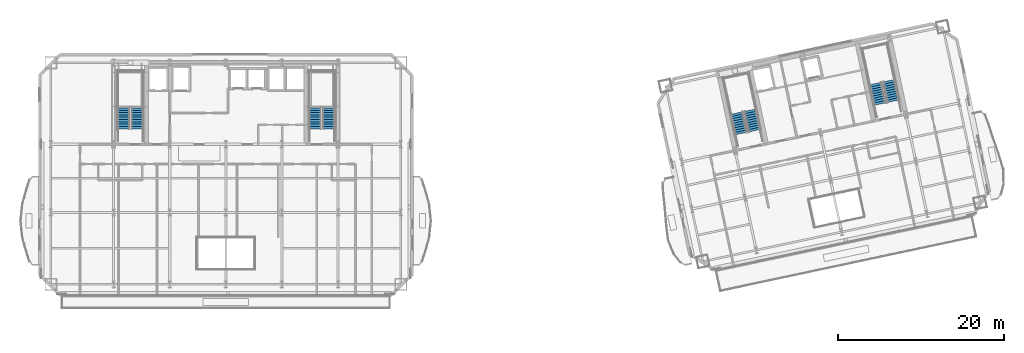
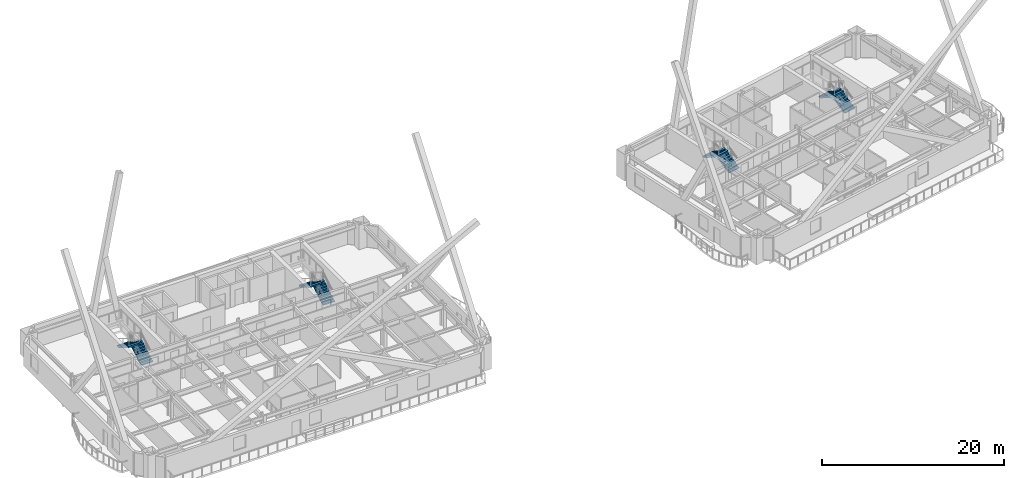
# One storey, part 16 of 22: 8 stair flights, 4 elements without a shape of their own.
"""IFC4 building model written with IfcOpenShell, lengths in metres."""

from ifc_helpers import new_model, si_unit, direction, frame, origin, place, context, subcontext, project, spatial, polyline, outline, extrude, material, type_object, element, aggregate, save


model = new_model("IFC4")

# Units and contexts
model_context = context("Model", 3, precision=1e-05, world=origin(), true_north=direction((0.0, 1.0)))
body_context = subcontext(model_context, "Body", "Model", "MODEL_VIEW")
ifc_project = project(units=[si_unit("LENGTHUNIT", "METRE"), si_unit("AREAUNIT", "SQUARE_METRE"), si_unit("VOLUMEUNIT", "CUBIC_METRE"), si_unit("PLANEANGLEUNIT", "RADIAN"), si_unit("MASSUNIT", "GRAM", prefix="KILO")], contexts=[model_context])

# Site, building, storey
site_placement = place(None, origin())
site = spatial("IfcSite", under=ifc_project, at=site_placement, CompositionType="ELEMENT")
building_placement = place(site_placement, origin())
building = spatial("IfcBuilding", under=site, at=building_placement, Name="Haevon Station Towers", CompositionType="ELEMENT")
storey_placement = place(building_placement, frame((0.0, 0.0, 113.10009765625)))
storey = spatial("IfcBuildingStorey", under=building, at=storey_placement, Name="L30", CompositionType="ELEMENT", Elevation=113.10009765625)

# Stair, stair flights
ifc_material = material(Name="Concrete C40/50", Category="concrete")
stair_type = type_object("IfcStairType", Name="STR-DL1450", PredefinedType="USERDEFINED", material=ifc_material)
stair_1_placement = place(storey_placement, origin())
stair_1 = element("IfcStair", 1, at=stair_1_placement, inside=storey, type_object=stair_type, Name="L30 Escape Stair ST1", ObjectType="TWO_RETURN_STAIR", PredefinedType="USERDEFINED")
stair_flight_type = type_object("IfcStairFlightType", Name="STF-ST1450", PredefinedType="STRAIGHT", material=ifc_material)
stair_flight_1_placement = place(storey_placement, frame((26.85498046875, 40.050048828125, 0.0), z_axis=(0.0, 0.0, 1.0), x_axis=(0.0, 1.0, 0.0)))
stair_flight_1 = element("IfcStairFlight", 2, at=stair_flight_1_placement, type_object=stair_flight_type, Name="L30 ST1 Flight 1", NumberOfRisers=10, NumberOfTreads=9, PredefinedType="STRAIGHT", RiserHeight=0.165, TreadLength=0.28, context=body_context, shape_type="SweptSolid", body=[
    extrude(outline(polyline([(0.0, 0.0), (0.0, 0.1650390625), (0.280029296875, 0.1650390625), (0.280029296875, 0.330078125), (0.56005859375, 0.330078125), (0.56005859375, 0.4951171875), (0.840087890625, 0.4951171875), (0.840087890625, 0.659912109375), (1.1201171875, 0.659912109375), (1.1201171875, 0.824951171875), (1.39990234375, 0.824951171875), (1.39990234375, 0.989990234375), (1.679931640625, 0.989990234375), (1.679931640625, 1.155029296875), (1.9599609375, 1.155029296875), (1.9599609375, 1.320068359375), (2.239990234375, 1.320068359375), (2.239990234375, 1.485107421875), (2.52001953125, 1.485107421875), (2.52001953125, 1.64990234375), (2.52001953125, 1.29931640625), (0.31494140625, 0.0), (0.0, 0.0)])), frame((0.0, 0.72509765625, 0.0), z_axis=(0.0, -1.0, 0.0), x_axis=(1.0, 0.0, 0.0)), (0.0, 0.0, 1.0), 1.449951171875),
])
stair_flight_2_placement = place(storey_placement, frame((25.205078125, 42.570068359375, 1.64990234375), z_axis=(0.0, 0.0, 1.0), x_axis=(0.0, -1.0, 0.0)))
stair_flight_2 = element("IfcStairFlight", 3, at=stair_flight_2_placement, type_object=stair_flight_type, Name="L30 ST1 Flight 2", NumberOfRisers=10, NumberOfTreads=9, PredefinedType="STRAIGHT", RiserHeight=0.165, TreadLength=0.28, context=body_context, shape_type="SweptSolid", body=[
    extrude(outline(polyline([(0.0, 0.0), (0.0, 0.1650390625), (0.280029296875, 0.1650390625), (0.280029296875, 0.330078125), (0.56005859375, 0.330078125), (0.56005859375, 0.4951171875), (0.840087890625, 0.4951171875), (0.840087890625, 0.659912109375), (1.1201171875, 0.659912109375), (1.1201171875, 0.824951171875), (1.39990234375, 0.824951171875), (1.39990234375, 0.989990234375), (1.679931640625, 0.989990234375), (1.679931640625, 1.155029296875), (1.9599609375, 1.155029296875), (1.9599609375, 1.320068359375), (2.239990234375, 1.320068359375), (2.239990234375, 1.485107421875), (2.52001953125, 1.485107421875), (2.52001953125, 1.64990234375), (2.52001953125, 1.29931640625), (0.31494140625, 0.0), (0.0, 0.0)])), frame((0.0, 0.72509765625, 0.0), z_axis=(0.0, -1.0, 0.0), x_axis=(1.0, 0.0, 0.0)), (0.0, 0.0, 1.0), 1.449951171875),
])
aggregate(stair_1, [stair_flight_1, stair_flight_2])

stair_2_placement = place(storey_placement, origin())
stair_2 = element("IfcStair", 4, at=stair_2_placement, inside=storey, type_object=stair_type, Name="L30 Escape Stair ST2", ObjectType="TWO_RETURN_STAIR", PredefinedType="USERDEFINED")
stair_flight_3_placement = place(storey_placement, frame((49.89501953125, 40.050048828125, 0.0), z_axis=(0.0, 0.0, 1.0), x_axis=(0.0, 1.0, 0.0)))
stair_flight_3 = element("IfcStairFlight", 5, at=stair_flight_3_placement, type_object=stair_flight_type, Name="L30 ST2 Flight 1", NumberOfRisers=10, NumberOfTreads=9, PredefinedType="STRAIGHT", RiserHeight=0.165, TreadLength=0.28, context=body_context, shape_type="SweptSolid", body=[
    extrude(outline(polyline([(0.0, 0.0), (0.0, 0.1650390625), (0.280029296875, 0.1650390625), (0.280029296875, 0.330078125), (0.56005859375, 0.330078125), (0.56005859375, 0.4951171875), (0.840087890625, 0.4951171875), (0.840087890625, 0.659912109375), (1.1201171875, 0.659912109375), (1.1201171875, 0.824951171875), (1.39990234375, 0.824951171875), (1.39990234375, 0.989990234375), (1.679931640625, 0.989990234375), (1.679931640625, 1.155029296875), (1.9599609375, 1.155029296875), (1.9599609375, 1.320068359375), (2.239990234375, 1.320068359375), (2.239990234375, 1.485107421875), (2.52001953125, 1.485107421875), (2.52001953125, 1.64990234375), (2.52001953125, 1.29931640625), (0.31494140625, 0.0), (0.0, 0.0)])), frame((0.0, 0.72509765625, 0.0), z_axis=(0.0, -1.0, 0.0), x_axis=(1.0, 0.0, 0.0)), (0.0, 0.0, 1.0), 1.449951171875),
])
stair_flight_4_placement = place(storey_placement, frame((48.2451171875, 42.570068359375, 1.64990234375), z_axis=(0.0, 0.0, 1.0), x_axis=(0.0, -1.0, 0.0)))
stair_flight_4 = element("IfcStairFlight", 6, at=stair_flight_4_placement, type_object=stair_flight_type, Name="L30 ST2 Flight 2", NumberOfRisers=10, NumberOfTreads=9, PredefinedType="STRAIGHT", RiserHeight=0.165, TreadLength=0.28, context=body_context, shape_type="SweptSolid", body=[
    extrude(outline(polyline([(0.0, 0.0), (0.0, 0.1650390625), (0.280029296875, 0.1650390625), (0.280029296875, 0.330078125), (0.56005859375, 0.330078125), (0.56005859375, 0.4951171875), (0.840087890625, 0.4951171875), (0.840087890625, 0.659912109375), (1.1201171875, 0.659912109375), (1.1201171875, 0.824951171875), (1.39990234375, 0.824951171875), (1.39990234375, 0.989990234375), (1.679931640625, 0.989990234375), (1.679931640625, 1.155029296875), (1.9599609375, 1.155029296875), (1.9599609375, 1.320068359375), (2.239990234375, 1.320068359375), (2.239990234375, 1.485107421875), (2.52001953125, 1.485107421875), (2.52001953125, 1.64990234375), (2.52001953125, 1.29931640625), (0.31494140625, 0.0), (0.0, 0.0)])), frame((0.0, 0.72509765625, 0.0), z_axis=(0.0, -1.0, 0.0), x_axis=(1.0, 0.0, 0.0)), (0.0, 0.0, 1.0), 1.449951171875),
])
aggregate(stair_2, [stair_flight_3, stair_flight_4])

stair_3_placement = place(storey_placement, origin())
stair_3 = element("IfcStair", 7, at=stair_3_placement, inside=storey, type_object=stair_type, Name="L30 Escape Stair ST3", ObjectType="TWO_RETURN_STAIR", PredefinedType="USERDEFINED")
stair_flight_5_placement = place(storey_placement, frame((101.1015625, 39.8330078125, 0.0), z_axis=(0.0, 0.0, 1.0), x_axis=(-0.207911690818, 0.978147600734, 0.0)))
stair_flight_5 = element("IfcStairFlight", 8, at=stair_flight_5_placement, type_object=stair_flight_type, Name="L30 ST3 Flight 1", NumberOfRisers=10, NumberOfTreads=9, PredefinedType="STRAIGHT", RiserHeight=0.165, TreadLength=0.28, context=body_context, shape_type="SweptSolid", body=[
    extrude(outline(polyline([(0.0, 0.0), (0.0, 0.1650390625), (0.280029296875, 0.1650390625), (0.280029296875, 0.330078125), (0.56005859375, 0.330078125), (0.56005859375, 0.4951171875), (0.840087890625, 0.4951171875), (0.840087890625, 0.659912109375), (1.1201171875, 0.659912109375), (1.1201171875, 0.824951171875), (1.39990234375, 0.824951171875), (1.39990234375, 0.989990234375), (1.679931640625, 0.989990234375), (1.679931640625, 1.155029296875), (1.9599609375, 1.155029296875), (1.9599609375, 1.320068359375), (2.239990234375, 1.320068359375), (2.239990234375, 1.485107421875), (2.52001953125, 1.485107421875), (2.52001953125, 1.64990234375), (2.52001953125, 1.29931640625), (0.31494140625, 0.0), (0.0, 0.0)])), frame((0.0, 0.72509765625, 0.0), z_axis=(0.0, -1.0, 0.0), x_axis=(1.0, 0.0, 0.0)), (0.0, 0.0, 1.0), 1.449951171875),
])
stair_flight_6_placement = place(storey_placement, frame((98.9638671875, 41.955078125, 1.64990234375), z_axis=(0.0, 0.0, 1.0), x_axis=(0.207911690818, -0.978147600734, 0.0)))
stair_flight_6 = element("IfcStairFlight", 9, at=stair_flight_6_placement, type_object=stair_flight_type, Name="L30 ST3 Flight 2", NumberOfRisers=10, NumberOfTreads=9, PredefinedType="STRAIGHT", RiserHeight=0.165, TreadLength=0.28, context=body_context, shape_type="SweptSolid", body=[
    extrude(outline(polyline([(0.0, 0.0), (0.0, 0.1650390625), (0.280029296875, 0.1650390625), (0.280029296875, 0.330078125), (0.56005859375, 0.330078125), (0.56005859375, 0.4951171875), (0.840087890625, 0.4951171875), (0.840087890625, 0.659912109375), (1.1201171875, 0.659912109375), (1.1201171875, 0.824951171875), (1.39990234375, 0.824951171875), (1.39990234375, 0.989990234375), (1.679931640625, 0.989990234375), (1.679931640625, 1.155029296875), (1.9599609375, 1.155029296875), (1.9599609375, 1.320068359375), (2.239990234375, 1.320068359375), (2.239990234375, 1.485107421875), (2.52001953125, 1.485107421875), (2.52001953125, 1.64990234375), (2.52001953125, 1.29931640625), (0.31494140625, 0.0), (0.0, 0.0)])), frame((0.0, 0.72509765625, 0.0), z_axis=(0.0, -1.0, 0.0), x_axis=(1.0, 0.0, 0.0)), (0.0, 0.0, 1.0), 1.449951171875),
])
aggregate(stair_3, [stair_flight_5, stair_flight_6])

stair_4_placement = place(storey_placement, origin())
stair_4 = element("IfcStair", 10, at=stair_4_placement, inside=storey, type_object=stair_type, Name="L30 Escape Stair ST4", ObjectType="TWO_RETURN_STAIR", PredefinedType="USERDEFINED")
stair_flight_7_placement = place(storey_placement, frame((117.788818359375, 43.380126953125, 0.0), z_axis=(0.0, 0.0, 1.0), x_axis=(-0.207911690818, 0.978147600734, 0.0)))
stair_flight_7 = element("IfcStairFlight", 11, at=stair_flight_7_placement, type_object=stair_flight_type, Name="L30 ST4 Flight 1", NumberOfRisers=10, NumberOfTreads=9, PredefinedType="STRAIGHT", RiserHeight=0.165, TreadLength=0.28, context=body_context, shape_type="SweptSolid", body=[
    extrude(outline(polyline([(0.0, 0.0), (0.0, 0.1650390625), (0.280029296875, 0.1650390625), (0.280029296875, 0.330078125), (0.56005859375, 0.330078125), (0.56005859375, 0.4951171875), (0.840087890625, 0.4951171875), (0.840087890625, 0.659912109375), (1.1201171875, 0.659912109375), (1.1201171875, 0.824951171875), (1.39990234375, 0.824951171875), (1.39990234375, 0.989990234375), (1.679931640625, 0.989990234375), (1.679931640625, 1.155029296875), (1.9599609375, 1.155029296875), (1.9599609375, 1.320068359375), (2.239990234375, 1.320068359375), (2.239990234375, 1.485107421875), (2.52001953125, 1.485107421875), (2.52001953125, 1.64990234375), (2.52001953125, 1.29931640625), (0.31494140625, 0.0), (0.0, 0.0)])), frame((0.0, 0.72509765625, 0.0), z_axis=(0.0, -1.0, 0.0), x_axis=(1.0, 0.0, 0.0)), (0.0, 0.0, 1.0), 1.449951171875),
])
stair_flight_8_placement = place(storey_placement, frame((115.65087890625, 45.501953125, 1.64990234375), z_axis=(0.0, 0.0, 1.0), x_axis=(0.207911690818, -0.978147600734, 0.0)))
stair_flight_8 = element("IfcStairFlight", 12, at=stair_flight_8_placement, type_object=stair_flight_type, Name="L30 ST4 Flight 2", NumberOfRisers=10, NumberOfTreads=9, PredefinedType="STRAIGHT", RiserHeight=0.165, TreadLength=0.28, context=body_context, shape_type="SweptSolid", body=[
    extrude(outline(polyline([(0.0, 0.0), (0.0, 0.1650390625), (0.280029296875, 0.1650390625), (0.280029296875, 0.330078125), (0.56005859375, 0.330078125), (0.56005859375, 0.4951171875), (0.840087890625, 0.4951171875), (0.840087890625, 0.659912109375), (1.1201171875, 0.659912109375), (1.1201171875, 0.824951171875), (1.39990234375, 0.824951171875), (1.39990234375, 0.989990234375), (1.679931640625, 0.989990234375), (1.679931640625, 1.155029296875), (1.9599609375, 1.155029296875), (1.9599609375, 1.320068359375), (2.239990234375, 1.320068359375), (2.239990234375, 1.485107421875), (2.52001953125, 1.485107421875), (2.52001953125, 1.64990234375), (2.52001953125, 1.29931640625), (0.31494140625, 0.0), (0.0, 0.0)])), frame((0.0, 0.72509765625, 0.0), z_axis=(0.0, -1.0, 0.0), x_axis=(1.0, 0.0, 0.0)), (0.0, 0.0, 1.0), 1.449951171875),
])
aggregate(stair_4, [stair_flight_7, stair_flight_8])

save(model, "model.ifc")
